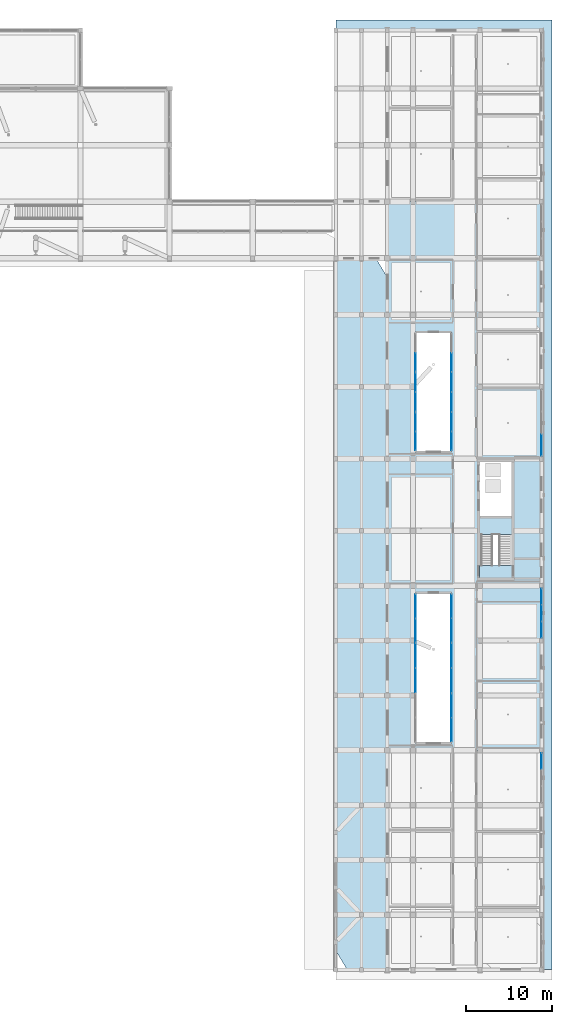
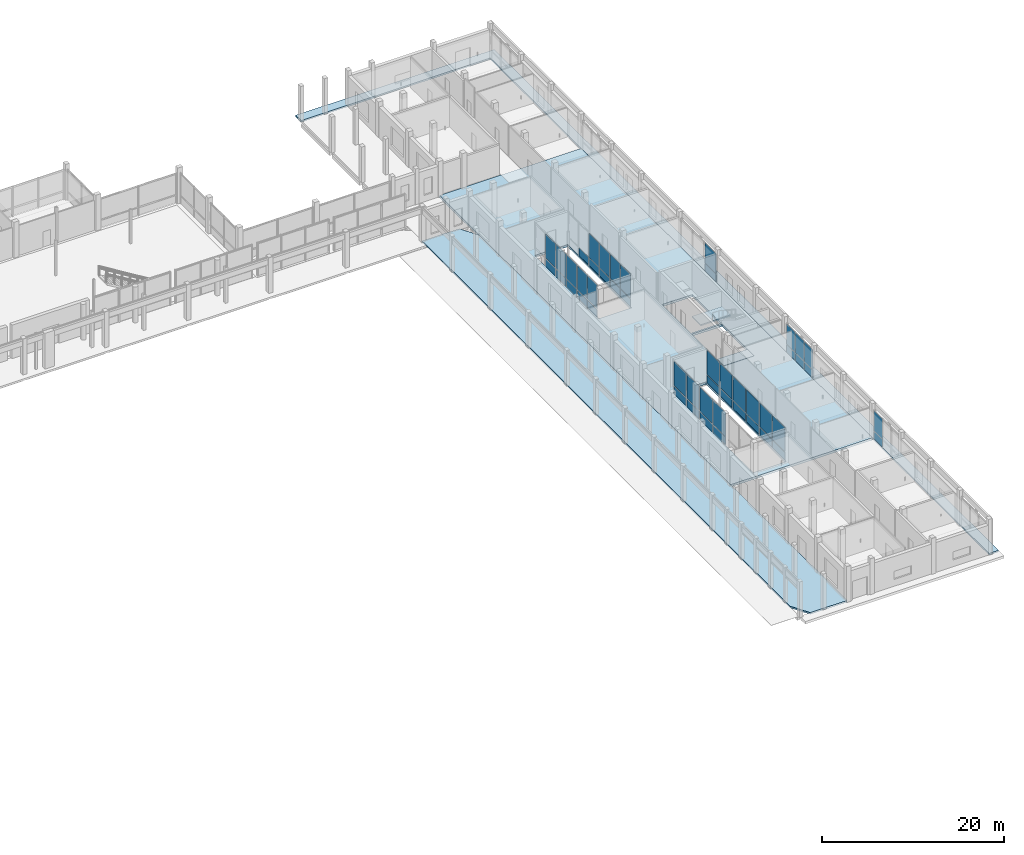
# One storey, part 44 of 88: 49 plates, 5 slabs, 15 elements without a shape of their own.
"""IFC4 building model written with IfcOpenShell, lengths in metres."""

from ifc_helpers import new_model, si_unit, derived_unit, direction, frame, origin, origin_2d, place, context, subcontext, project, spatial, polyline, rectangle, outline, extrude, material, layer, layer_set, type_object, element, aggregate, save


model = new_model("IFC4")

# Units and contexts
model_context = context("Model", 3, precision=1e-05, world=origin(), true_north=direction((0.0, 1.0)))
body_context = subcontext(model_context, "Body", "Model", "MODEL_VIEW")
ifc_project = project(units=[si_unit("LENGTHUNIT", "METRE"), si_unit("AREAUNIT", "SQUARE_METRE"), si_unit("VOLUMEUNIT", "CUBIC_METRE"), si_unit("PLANEANGLEUNIT", "RADIAN"), si_unit("MASSUNIT", "GRAM", prefix="KILO"), derived_unit("THERMALTRANSMITTANCEUNIT", [(si_unit("POWERUNIT", "WATT"), 1), (si_unit("LENGTHUNIT", "METRE"), -2), (si_unit("THERMODYNAMICTEMPERATUREUNIT", "KELVIN"), -1)])], contexts=[model_context])

# Site, building, storey
site_placement = place(None, origin())
site = spatial("IfcSite", under=ifc_project, at=site_placement, CompositionType="ELEMENT")
building_placement = place(site_placement, origin())
building = spatial("IfcBuilding", under=site, at=building_placement, Name="Braskholm Square Health Centre", CompositionType="ELEMENT")
storey_placement = place(building_placement, origin())
storey = spatial("IfcBuildingStorey", under=building, at=storey_placement, Name="L01", CompositionType="ELEMENT", Elevation=0.0)

# Slab
ifc_material_1 = material(Name="Precast concrete C40/50 architectural white", Category="concrete")
ifc_layer_1 = layer(ifc_material_1, 0.22509765625)
ifc_layer_set_1 = layer_set([ifc_layer_1], Name="Precast concrete C40/50 architectural white")
slab_type_1 = type_object("IfcSlabType", Name="ColonnadeWalkwaySlab225", PredefinedType="FLOOR", material=ifc_layer_set_1)
slab_1_placement = place(storey_placement, frame((0.0, 0.0, -0.22509765625)))
element("IfcSlab", 1, at=slab_1_placement, inside=storey, type_object=slab_type_1, Name="East square Mankato-Kasota limestone colonnade walkway", PredefinedType="FLOOR", context=body_context, shape_type="SweptSolid", body=[
    extrude(outline(polyline([(141.1201171875, 4.199951171875), (145.800048828125, 4.199951171875), (145.800048828125, 85.0), (144.47998046875, 87.199951171875), (139.800048828125, 87.199951171875), (139.800048828125, 6.39990234375), (141.1201171875, 4.199951171875)])), origin(), (0.0, 0.0, 1.0), 0.22509765625),
])

# Curtain wall, plate
ifc_material_2 = material(Name="Low-E triple insulating glass (VLT 0.64)", Category="glass")
curtain_wall_type_1 = type_object("IfcCurtainWallType", Name="UnitisedCurtainWall6200x4100", PredefinedType="NOTDEFINED", material=ifc_material_2)
curtain_wall_1_placement = place(storey_placement, origin())
curtain_wall_1 = element("IfcCurtainWall", 2, at=curtain_wall_1_placement, inside=storey, type_object=curtain_wall_type_1, Name="East Storefront unitised curtain wall CW-L01-0047", PredefinedType="NOTDEFINED")
ifc_material_3 = material(Name="Architectural bronze anodised aluminium", Category="aluminium")
plate_type_1 = type_object("IfcPlateType", Name="CurtainPanelSpandrel1850x1020", PredefinedType="CURTAIN_PANEL", material=ifc_material_3)
plate_1_placement = place(storey_placement, frame((163.800048828125, 28.5400390625, 0.050048828125), z_axis=(0.0, 0.0, 1.0), x_axis=(0.0, 1.0, 0.0)))
plate_1 = element("IfcPlate", 3, at=plate_1_placement, type_object=plate_type_1, Name="CW-L01-0047 spandrel panel 3", PredefinedType="CURTAIN_PANEL", context=body_context, shape_type="SweptSolid", body=[
    extrude(rectangle(XDim=1.823486328125, YDim=0.035888671875, at=origin_2d()), origin(), (0.0, 0.0, 1.0), 1.02001953125),
])

# Curtain wall, plates
curtain_wall_2_placement = place(storey_placement, origin())
curtain_wall_2 = element("IfcCurtainWall", 4, at=curtain_wall_2_placement, inside=storey, type_object=curtain_wall_type_1, Name="East Storefront unitised curtain wall CW-L01-0048", PredefinedType="NOTDEFINED")
plate_2_placement = place(storey_placement, frame((163.800048828125, 43.860107421875, 0.050048828125), z_axis=(0.0, 0.0, 1.0), x_axis=(0.0, 1.0, 0.0)))
plate_2 = element("IfcPlate", 5, at=plate_2_placement, type_object=plate_type_1, Name="CW-L01-0048 spandrel panel 1", PredefinedType="CURTAIN_PANEL", context=body_context, shape_type="SweptSolid", body=[
    extrude(rectangle(XDim=1.823486328125, YDim=0.035888671875, at=origin_2d()), origin(), (0.0, 0.0, 1.0), 1.02001953125),
])
plate_3_placement = place(storey_placement, frame((163.800048828125, 45.800048828125, 0.050048828125), z_axis=(0.0, 0.0, 1.0), x_axis=(0.0, 1.0, 0.0)))
plate_3 = element("IfcPlate", 6, at=plate_3_placement, type_object=plate_type_1, Name="CW-L01-0048 spandrel panel 2", PredefinedType="CURTAIN_PANEL", context=body_context, shape_type="SweptSolid", body=[
    extrude(rectangle(XDim=1.823486328125, YDim=0.035888671875, at=origin_2d()), origin(), (0.0, 0.0, 1.0), 1.02001953125),
])
plate_4_placement = place(storey_placement, frame((163.800048828125, 47.739990234375, 0.050048828125), z_axis=(0.0, 0.0, 1.0), x_axis=(0.0, 1.0, 0.0)))
plate_4 = element("IfcPlate", 7, at=plate_4_placement, type_object=plate_type_1, Name="CW-L01-0048 spandrel panel 3", PredefinedType="CURTAIN_PANEL", context=body_context, shape_type="SweptSolid", body=[
    extrude(rectangle(XDim=1.823486328125, YDim=0.035888671875, at=origin_2d()), origin(), (0.0, 0.0, 1.0), 1.02001953125),
])

curtain_wall_type_2 = type_object("IfcCurtainWallType", Name="UnitisedCurtainWall4800x4400", PredefinedType="NOTDEFINED", material=ifc_material_2)
curtain_wall_3_placement = place(storey_placement, origin())
curtain_wall_3 = element("IfcCurtainWall", 8, at=curtain_wall_3_placement, inside=storey, type_object=curtain_wall_type_2, Name="EC2 Court W unitised curtain wall CW-L01-0351", PredefinedType="NOTDEFINED")
plate_type_2 = type_object("IfcPlateType", Name="CurtainPanelSpandrel2150x1020", PredefinedType="CURTAIN_PANEL", material=ifc_material_3)
plate_5_placement = place(storey_placement, frame((149.10009765625, 65.884033203125, 0.050048828125), z_axis=(0.0, 0.0, 1.0), x_axis=(0.0, 1.0, 0.0)))
plate_5 = element("IfcPlate", 9, at=plate_5_placement, type_object=plate_type_2, Name="CW-L01-0351 spandrel panel 1", PredefinedType="CURTAIN_PANEL", context=body_context, shape_type="SweptSolid", body=[
    extrude(rectangle(XDim=2.125244140625, YDim=0.035888671875, at=origin_2d()), origin(), (0.0, 0.0, 1.0), 1.02001953125),
])
plate_6_placement = place(storey_placement, frame((149.10009765625, 68.117919921875, 0.050048828125), z_axis=(0.0, 0.0, 1.0), x_axis=(0.0, 1.0, 0.0)))
plate_6 = element("IfcPlate", 10, at=plate_6_placement, type_object=plate_type_2, Name="CW-L01-0351 spandrel panel 2", PredefinedType="CURTAIN_PANEL", context=body_context, shape_type="SweptSolid", body=[
    extrude(rectangle(XDim=2.125244140625, YDim=0.035888671875, at=origin_2d()), origin(), (0.0, 0.0, 1.0), 1.02001953125),
])

curtain_wall_4_placement = place(storey_placement, origin())
curtain_wall_4 = element("IfcCurtainWall", 11, at=curtain_wall_4_placement, inside=storey, type_object=curtain_wall_type_2, Name="EC2 Court E unitised curtain wall CW-L01-0352", PredefinedType="NOTDEFINED")
plate_7_placement = place(storey_placement, frame((153.300048828125, 68.117919921875, 0.050048828125), z_axis=(0.0, 0.0, 1.0), x_axis=(0.0, -1.0, 0.0)))
plate_7 = element("IfcPlate", 12, at=plate_7_placement, type_object=plate_type_2, Name="CW-L01-0352 spandrel panel 1", PredefinedType="CURTAIN_PANEL", context=body_context, shape_type="SweptSolid", body=[
    extrude(rectangle(XDim=2.125244140625, YDim=0.035888671875, at=origin_2d()), origin(), (0.0, 0.0, 1.0), 1.02001953125),
])
plate_8_placement = place(storey_placement, frame((153.300048828125, 65.884033203125, 0.050048828125), z_axis=(0.0, 0.0, 1.0), x_axis=(0.0, -1.0, 0.0)))
plate_8 = element("IfcPlate", 13, at=plate_8_placement, type_object=plate_type_2, Name="CW-L01-0352 spandrel panel 2", PredefinedType="CURTAIN_PANEL", context=body_context, shape_type="SweptSolid", body=[
    extrude(rectangle(XDim=2.125244140625, YDim=0.035888671875, at=origin_2d()), origin(), (0.0, 0.0, 1.0), 1.02001953125),
])

curtain_wall_5_placement = place(storey_placement, origin())
curtain_wall_5 = element("IfcCurtainWall", 14, at=curtain_wall_5_placement, inside=storey, type_object=curtain_wall_type_2, Name="EC2 Court W unitised curtain wall CW-L01-0353", PredefinedType="NOTDEFINED")
plate_9_placement = place(storey_placement, frame((149.10009765625, 70.449951171875, 0.050048828125), z_axis=(0.0, 0.0, 1.0), x_axis=(0.0, 1.0, 0.0)))
plate_9 = element("IfcPlate", 15, at=plate_9_placement, type_object=plate_type_2, Name="CW-L01-0353 spandrel panel 1", PredefinedType="CURTAIN_PANEL", context=body_context, shape_type="SweptSolid", body=[
    extrude(rectangle(XDim=2.188232421875, YDim=0.035888671875, at=origin_2d()), origin(), (0.0, 0.0, 1.0), 1.02001953125),
])
plate_10_placement = place(storey_placement, frame((149.10009765625, 72.75, 0.050048828125), z_axis=(0.0, 0.0, 1.0), x_axis=(0.0, 1.0, 0.0)))
plate_10 = element("IfcPlate", 16, at=plate_10_placement, type_object=plate_type_2, Name="CW-L01-0353 spandrel panel 2", PredefinedType="CURTAIN_PANEL", context=body_context, shape_type="SweptSolid", body=[
    extrude(rectangle(XDim=2.188232421875, YDim=0.035888671875, at=origin_2d()), origin(), (0.0, 0.0, 1.0), 1.02001953125),
])

curtain_wall_6_placement = place(storey_placement, origin())
curtain_wall_6 = element("IfcCurtainWall", 17, at=curtain_wall_6_placement, inside=storey, type_object=curtain_wall_type_2, Name="EC2 Court E unitised curtain wall CW-L01-0354", PredefinedType="NOTDEFINED")
plate_11_placement = place(storey_placement, frame((153.300048828125, 72.75, 0.050048828125), z_axis=(0.0, 0.0, 1.0), x_axis=(0.0, -1.0, 0.0)))
plate_11 = element("IfcPlate", 18, at=plate_11_placement, type_object=plate_type_2, Name="CW-L01-0354 spandrel panel 1", PredefinedType="CURTAIN_PANEL", context=body_context, shape_type="SweptSolid", body=[
    extrude(rectangle(XDim=2.188232421875, YDim=0.035888671875, at=origin_2d()), origin(), (0.0, 0.0, 1.0), 1.02001953125),
])
plate_12_placement = place(storey_placement, frame((153.300048828125, 70.449951171875, 0.050048828125), z_axis=(0.0, 0.0, 1.0), x_axis=(0.0, -1.0, 0.0)))
plate_12 = element("IfcPlate", 19, at=plate_12_placement, type_object=plate_type_2, Name="CW-L01-0354 spandrel panel 2", PredefinedType="CURTAIN_PANEL", context=body_context, shape_type="SweptSolid", body=[
    extrude(rectangle(XDim=2.188232421875, YDim=0.035888671875, at=origin_2d()), origin(), (0.0, 0.0, 1.0), 1.02001953125),
])

# Curtain wall, plate
curtain_wall_7_placement = place(storey_placement, origin())
curtain_wall_7 = element("IfcCurtainWall", 20, at=curtain_wall_7_placement, inside=storey, type_object=curtain_wall_type_2, Name="EC2 Court W unitised curtain wall CW-L01-0355", PredefinedType="NOTDEFINED")
plate_13_placement = place(storey_placement, frame((149.10009765625, 75.08203125, 0.050048828125), z_axis=(0.0, 0.0, 1.0), x_axis=(0.0, 1.0, 0.0)))
plate_13 = element("IfcPlate", 21, at=plate_13_placement, type_object=plate_type_2, Name="CW-L01-0355 spandrel panel 1", PredefinedType="CURTAIN_PANEL", context=body_context, shape_type="SweptSolid", body=[
    extrude(rectangle(XDim=2.125244140625, YDim=0.035888671875, at=origin_2d()), origin(), (0.0, 0.0, 1.0), 1.02001953125),
])

curtain_wall_8_placement = place(storey_placement, origin())
curtain_wall_8 = element("IfcCurtainWall", 22, at=curtain_wall_8_placement, inside=storey, type_object=curtain_wall_type_2, Name="EC2 Court E unitised curtain wall CW-L01-0356", PredefinedType="NOTDEFINED")
plate_14_placement = place(storey_placement, frame((153.300048828125, 75.08203125, 0.050048828125), z_axis=(0.0, 0.0, 1.0), x_axis=(0.0, -1.0, 0.0)))
plate_14 = element("IfcPlate", 23, at=plate_14_placement, type_object=plate_type_2, Name="CW-L01-0356 spandrel panel 2", PredefinedType="CURTAIN_PANEL", context=body_context, shape_type="SweptSolid", body=[
    extrude(rectangle(XDim=2.125244140625, YDim=0.035888671875, at=origin_2d()), origin(), (0.0, 0.0, 1.0), 1.02001953125),
])
aggregate(curtain_wall_8, [plate_14])

curtain_wall_9_placement = place(storey_placement, origin())
curtain_wall_9 = element("IfcCurtainWall", 24, at=curtain_wall_9_placement, inside=storey, type_object=curtain_wall_type_1, Name="East Storefront unitised curtain wall CW-L01-0049", PredefinedType="NOTDEFINED")
plate_type_3 = type_object("IfcPlateType", Name="CurtainPanelSpandrel2750x1020", PredefinedType="CURTAIN_PANEL", material=ifc_material_3)
plate_15_placement = place(storey_placement, frame((163.800048828125, 65.393310546875, 0.050048828125), z_axis=(0.0, 0.0, 1.0), x_axis=(0.0, 1.0, 0.0)))
plate_15 = element("IfcPlate", 25, at=plate_15_placement, type_object=plate_type_3, Name="CW-L01-0049 spandrel panel 1", PredefinedType="CURTAIN_PANEL", context=body_context, shape_type="SweptSolid", body=[
    extrude(rectangle(XDim=2.4501953125, YDim=0.035888671875, at=origin_2d()), origin(), (0.0, 0.0, 1.0), 1.02001953125),
])

# Curtain wall, plates
curtain_wall_type_3 = type_object("IfcCurtainWallType", Name="UnitisedCurtainWall5400x4400", PredefinedType="NOTDEFINED", material=ifc_material_2)
curtain_wall_10_placement = place(storey_placement, origin())
curtain_wall_10 = element("IfcCurtainWall", 26, at=curtain_wall_10_placement, inside=storey, type_object=curtain_wall_type_3, Name="EC1 Court E unitised curtain wall CW-L01-0322", PredefinedType="NOTDEFINED")
plate_16_placement = place(storey_placement, frame((153.300048828125, 35.014404296875, 0.050048828125), z_axis=(0.0, 0.0, 1.0), x_axis=(0.0, -1.0, 0.0)))
plate_16 = element("IfcPlate", 27, at=plate_16_placement, type_object=plate_type_3, Name="CW-L01-0322 spandrel panel 1", PredefinedType="CURTAIN_PANEL", context=body_context, shape_type="SweptSolid", body=[
    extrude(rectangle(XDim=2.689208984375, YDim=0.035888671875, at=origin_2d()), origin(), (0.0, 0.0, 1.0), 1.02001953125),
])
plate_17_placement = place(storey_placement, frame((153.300048828125, 32.187744140625, 0.050048828125), z_axis=(0.0, 0.0, 1.0), x_axis=(0.0, -1.0, 0.0)))
plate_17 = element("IfcPlate", 28, at=plate_17_placement, type_object=plate_type_3, Name="CW-L01-0322 spandrel panel 2", PredefinedType="CURTAIN_PANEL", context=body_context, shape_type="SweptSolid", body=[
    extrude(rectangle(XDim=2.689208984375, YDim=0.035888671875, at=origin_2d()), origin(), (0.0, 0.0, 1.0), 1.02001953125),
])

curtain_wall_type_4 = type_object("IfcCurtainWallType", Name="UnitisedCurtainWall6200x4400", PredefinedType="NOTDEFINED", material=ifc_material_2)
curtain_wall_11_placement = place(storey_placement, origin())
curtain_wall_11 = element("IfcCurtainWall", 29, at=curtain_wall_11_placement, inside=storey, type_object=curtain_wall_type_4, Name="EC1 Court W unitised curtain wall CW-L01-0323", PredefinedType="NOTDEFINED")
plate_18_placement = place(storey_placement, frame((149.10009765625, 37.95361328125, 0.050048828125), z_axis=(0.0, 0.0, 1.0), x_axis=(0.0, 1.0, 0.0)))
plate_18 = element("IfcPlate", 30, at=plate_18_placement, type_object=plate_type_3, Name="CW-L01-0323 spandrel panel 1", PredefinedType="CURTAIN_PANEL", context=body_context, shape_type="SweptSolid", body=[
    extrude(rectangle(XDim=2.752197265625, YDim=0.035888671875, at=origin_2d()), origin(), (0.0, 0.0, 1.0), 1.02001953125),
])
plate_19_placement = place(storey_placement, frame((149.10009765625, 40.846435546875, 0.050048828125), z_axis=(0.0, 0.0, 1.0), x_axis=(0.0, 1.0, 0.0)))
plate_19 = element("IfcPlate", 31, at=plate_19_placement, type_object=plate_type_3, Name="CW-L01-0323 spandrel panel 2", PredefinedType="CURTAIN_PANEL", context=body_context, shape_type="SweptSolid", body=[
    extrude(rectangle(XDim=2.752197265625, YDim=0.035888671875, at=origin_2d()), origin(), (0.0, 0.0, 1.0), 1.02001953125),
])

curtain_wall_12_placement = place(storey_placement, origin())
curtain_wall_12 = element("IfcCurtainWall", 32, at=curtain_wall_12_placement, inside=storey, type_object=curtain_wall_type_4, Name="EC1 Court E unitised curtain wall CW-L01-0324", PredefinedType="NOTDEFINED")
plate_20_placement = place(storey_placement, frame((153.300048828125, 40.846435546875, 0.050048828125), z_axis=(0.0, 0.0, 1.0), x_axis=(0.0, -1.0, 0.0)))
plate_20 = element("IfcPlate", 33, at=plate_20_placement, type_object=plate_type_3, Name="CW-L01-0324 spandrel panel 1", PredefinedType="CURTAIN_PANEL", context=body_context, shape_type="SweptSolid", body=[
    extrude(rectangle(XDim=2.752197265625, YDim=0.035888671875, at=origin_2d()), origin(), (0.0, 0.0, 1.0), 1.02001953125),
])
plate_21_placement = place(storey_placement, frame((153.300048828125, 37.95361328125, 0.050048828125), z_axis=(0.0, 0.0, 1.0), x_axis=(0.0, -1.0, 0.0)))
plate_21 = element("IfcPlate", 34, at=plate_21_placement, type_object=plate_type_3, Name="CW-L01-0324 spandrel panel 2", PredefinedType="CURTAIN_PANEL", context=body_context, shape_type="SweptSolid", body=[
    extrude(rectangle(XDim=2.752197265625, YDim=0.035888671875, at=origin_2d()), origin(), (0.0, 0.0, 1.0), 1.02001953125),
])

curtain_wall_13_placement = place(storey_placement, origin())
curtain_wall_13 = element("IfcCurtainWall", 35, at=curtain_wall_13_placement, inside=storey, type_object=curtain_wall_type_3, Name="EC1 Court W unitised curtain wall CW-L01-0325", PredefinedType="NOTDEFINED")
plate_22_placement = place(storey_placement, frame((149.10009765625, 43.78564453125, 0.050048828125), z_axis=(0.0, 0.0, 1.0), x_axis=(0.0, 1.0, 0.0)))
plate_22 = element("IfcPlate", 36, at=plate_22_placement, type_object=plate_type_3, Name="CW-L01-0325 spandrel panel 1", PredefinedType="CURTAIN_PANEL", context=body_context, shape_type="SweptSolid", body=[
    extrude(rectangle(XDim=2.689208984375, YDim=0.035888671875, at=origin_2d()), origin(), (0.0, 0.0, 1.0), 1.02001953125),
])
plate_23_placement = place(storey_placement, frame((149.10009765625, 46.6123046875, 0.050048828125), z_axis=(0.0, 0.0, 1.0), x_axis=(0.0, 1.0, 0.0)))
plate_23 = element("IfcPlate", 37, at=plate_23_placement, type_object=plate_type_3, Name="CW-L01-0325 spandrel panel 2", PredefinedType="CURTAIN_PANEL", context=body_context, shape_type="SweptSolid", body=[
    extrude(rectangle(XDim=2.689208984375, YDim=0.035888671875, at=origin_2d()), origin(), (0.0, 0.0, 1.0), 1.02001953125),
])

curtain_wall_14_placement = place(storey_placement, origin())
curtain_wall_14 = element("IfcCurtainWall", 38, at=curtain_wall_14_placement, inside=storey, type_object=curtain_wall_type_3, Name="EC1 Court E unitised curtain wall CW-L01-0326", PredefinedType="NOTDEFINED")
plate_24_placement = place(storey_placement, frame((153.300048828125, 46.6123046875, 0.050048828125), z_axis=(0.0, 0.0, 1.0), x_axis=(0.0, -1.0, 0.0)))
plate_24 = element("IfcPlate", 39, at=plate_24_placement, type_object=plate_type_3, Name="CW-L01-0326 spandrel panel 1", PredefinedType="CURTAIN_PANEL", context=body_context, shape_type="SweptSolid", body=[
    extrude(rectangle(XDim=2.689208984375, YDim=0.035888671875, at=origin_2d()), origin(), (0.0, 0.0, 1.0), 1.02001953125),
])
plate_25_placement = place(storey_placement, frame((153.300048828125, 43.78564453125, 0.050048828125), z_axis=(0.0, 0.0, 1.0), x_axis=(0.0, -1.0, 0.0)))
plate_25 = element("IfcPlate", 40, at=plate_25_placement, type_object=plate_type_3, Name="CW-L01-0326 spandrel panel 2", PredefinedType="CURTAIN_PANEL", context=body_context, shape_type="SweptSolid", body=[
    extrude(rectangle(XDim=2.689208984375, YDim=0.035888671875, at=origin_2d()), origin(), (0.0, 0.0, 1.0), 1.02001953125),
])

# Plate
plate_type_4 = type_object("IfcPlateType", Name="CurtainPanelVision1850x2520", PredefinedType="CURTAIN_PANEL", material=ifc_material_2)
plate_26_placement = place(storey_placement, frame((163.800048828125, 28.5400390625, 1.169921875), z_axis=(0.0, 0.0, 1.0), x_axis=(0.0, 1.0, 0.0)))
plate_26 = element("IfcPlate", 41, at=plate_26_placement, type_object=plate_type_4, Name="CW-L01-0047 vision glass panel 3", PredefinedType="CURTAIN_PANEL", context=body_context, shape_type="SweptSolid", body=[
    extrude(rectangle(XDim=1.823486328125, YDim=0.035888671875, at=origin_2d()), origin(), (0.0, 0.0, 1.0), 2.669921875),
])

aggregate(curtain_wall_1, [plate_1, plate_26])

plate_27_placement = place(storey_placement, frame((163.800048828125, 43.860107421875, 1.169921875), z_axis=(0.0, 0.0, 1.0), x_axis=(0.0, 1.0, 0.0)))
plate_27 = element("IfcPlate", 42, at=plate_27_placement, type_object=plate_type_4, Name="CW-L01-0048 vision glass panel 1", PredefinedType="CURTAIN_PANEL", context=body_context, shape_type="SweptSolid", body=[
    extrude(rectangle(XDim=1.823486328125, YDim=0.035888671875, at=origin_2d()), origin(), (0.0, 0.0, 1.0), 2.669921875),
])

plate_28_placement = place(storey_placement, frame((163.800048828125, 45.800048828125, 1.169921875), z_axis=(0.0, 0.0, 1.0), x_axis=(0.0, 1.0, 0.0)))
plate_28 = element("IfcPlate", 43, at=plate_28_placement, type_object=plate_type_4, Name="CW-L01-0048 vision glass panel 2", PredefinedType="CURTAIN_PANEL", context=body_context, shape_type="SweptSolid", body=[
    extrude(rectangle(XDim=1.823486328125, YDim=0.035888671875, at=origin_2d()), origin(), (0.0, 0.0, 1.0), 2.669921875),
])

plate_29_placement = place(storey_placement, frame((163.800048828125, 47.739990234375, 1.169921875), z_axis=(0.0, 0.0, 1.0), x_axis=(0.0, 1.0, 0.0)))
plate_29 = element("IfcPlate", 44, at=plate_29_placement, type_object=plate_type_4, Name="CW-L01-0048 vision glass panel 3", PredefinedType="CURTAIN_PANEL", context=body_context, shape_type="SweptSolid", body=[
    extrude(rectangle(XDim=1.823486328125, YDim=0.035888671875, at=origin_2d()), origin(), (0.0, 0.0, 1.0), 2.669921875),
])

aggregate(curtain_wall_2, [plate_2, plate_27, plate_3, plate_28, plate_4, plate_29])

plate_type_5 = type_object("IfcPlateType", Name="CurtainPanelVision2150x2950", PredefinedType="CURTAIN_PANEL", material=ifc_material_2)
plate_30_placement = place(storey_placement, frame((149.10009765625, 65.884033203125, 1.169921875), z_axis=(0.0, 0.0, 1.0), x_axis=(0.0, 1.0, 0.0)))
plate_30 = element("IfcPlate", 45, at=plate_30_placement, type_object=plate_type_5, Name="CW-L01-0351 vision glass panel 1", PredefinedType="CURTAIN_PANEL", context=body_context, shape_type="SweptSolid", body=[
    extrude(rectangle(XDim=2.125244140625, YDim=0.035888671875, at=origin_2d()), origin(), (0.0, 0.0, 1.0), 3.219970703125),
])

plate_31_placement = place(storey_placement, frame((149.10009765625, 68.117919921875, 1.169921875), z_axis=(0.0, 0.0, 1.0), x_axis=(0.0, 1.0, 0.0)))
plate_31 = element("IfcPlate", 46, at=plate_31_placement, type_object=plate_type_5, Name="CW-L01-0351 vision glass panel 2", PredefinedType="CURTAIN_PANEL", context=body_context, shape_type="SweptSolid", body=[
    extrude(rectangle(XDim=2.125244140625, YDim=0.035888671875, at=origin_2d()), origin(), (0.0, 0.0, 1.0), 3.219970703125),
])

aggregate(curtain_wall_3, [plate_5, plate_30, plate_6, plate_31])

plate_32_placement = place(storey_placement, frame((153.300048828125, 68.117919921875, 1.169921875), z_axis=(0.0, 0.0, 1.0), x_axis=(0.0, -1.0, 0.0)))
plate_32 = element("IfcPlate", 47, at=plate_32_placement, type_object=plate_type_5, Name="CW-L01-0352 vision glass panel 1", PredefinedType="CURTAIN_PANEL", context=body_context, shape_type="SweptSolid", body=[
    extrude(rectangle(XDim=2.125244140625, YDim=0.035888671875, at=origin_2d()), origin(), (0.0, 0.0, 1.0), 3.219970703125),
])

plate_33_placement = place(storey_placement, frame((153.300048828125, 65.884033203125, 1.169921875), z_axis=(0.0, 0.0, 1.0), x_axis=(0.0, -1.0, 0.0)))
plate_33 = element("IfcPlate", 48, at=plate_33_placement, type_object=plate_type_5, Name="CW-L01-0352 vision glass panel 2", PredefinedType="CURTAIN_PANEL", context=body_context, shape_type="SweptSolid", body=[
    extrude(rectangle(XDim=2.125244140625, YDim=0.035888671875, at=origin_2d()), origin(), (0.0, 0.0, 1.0), 3.219970703125),
])

aggregate(curtain_wall_4, [plate_7, plate_32, plate_8, plate_33])

plate_34_placement = place(storey_placement, frame((149.10009765625, 70.449951171875, 1.169921875), z_axis=(0.0, 0.0, 1.0), x_axis=(0.0, 1.0, 0.0)))
plate_34 = element("IfcPlate", 49, at=plate_34_placement, type_object=plate_type_5, Name="CW-L01-0353 vision glass panel 1", PredefinedType="CURTAIN_PANEL", context=body_context, shape_type="SweptSolid", body=[
    extrude(rectangle(XDim=2.188232421875, YDim=0.035888671875, at=origin_2d()), origin(), (0.0, 0.0, 1.0), 3.219970703125),
])

plate_35_placement = place(storey_placement, frame((149.10009765625, 72.75, 1.169921875), z_axis=(0.0, 0.0, 1.0), x_axis=(0.0, 1.0, 0.0)))
plate_35 = element("IfcPlate", 50, at=plate_35_placement, type_object=plate_type_5, Name="CW-L01-0353 vision glass panel 2", PredefinedType="CURTAIN_PANEL", context=body_context, shape_type="SweptSolid", body=[
    extrude(rectangle(XDim=2.188232421875, YDim=0.035888671875, at=origin_2d()), origin(), (0.0, 0.0, 1.0), 3.219970703125),
])

aggregate(curtain_wall_5, [plate_9, plate_34, plate_10, plate_35])

plate_36_placement = place(storey_placement, frame((153.300048828125, 72.75, 1.169921875), z_axis=(0.0, 0.0, 1.0), x_axis=(0.0, -1.0, 0.0)))
plate_36 = element("IfcPlate", 51, at=plate_36_placement, type_object=plate_type_5, Name="CW-L01-0354 vision glass panel 1", PredefinedType="CURTAIN_PANEL", context=body_context, shape_type="SweptSolid", body=[
    extrude(rectangle(XDim=2.188232421875, YDim=0.035888671875, at=origin_2d()), origin(), (0.0, 0.0, 1.0), 3.219970703125),
])

plate_37_placement = place(storey_placement, frame((153.300048828125, 70.449951171875, 1.169921875), z_axis=(0.0, 0.0, 1.0), x_axis=(0.0, -1.0, 0.0)))
plate_37 = element("IfcPlate", 52, at=plate_37_placement, type_object=plate_type_5, Name="CW-L01-0354 vision glass panel 2", PredefinedType="CURTAIN_PANEL", context=body_context, shape_type="SweptSolid", body=[
    extrude(rectangle(XDim=2.188232421875, YDim=0.035888671875, at=origin_2d()), origin(), (0.0, 0.0, 1.0), 3.219970703125),
])

aggregate(curtain_wall_6, [plate_11, plate_36, plate_12, plate_37])

plate_38_placement = place(storey_placement, frame((149.10009765625, 75.08203125, 1.169921875), z_axis=(0.0, 0.0, 1.0), x_axis=(0.0, 1.0, 0.0)))
plate_38 = element("IfcPlate", 53, at=plate_38_placement, type_object=plate_type_5, Name="CW-L01-0355 vision glass panel 1", PredefinedType="CURTAIN_PANEL", context=body_context, shape_type="SweptSolid", body=[
    extrude(rectangle(XDim=2.125244140625, YDim=0.035888671875, at=origin_2d()), origin(), (0.0, 0.0, 1.0), 3.219970703125),
])

aggregate(curtain_wall_7, [plate_13, plate_38])

plate_type_6 = type_object("IfcPlateType", Name="CurtainPanelVision2750x2520", PredefinedType="CURTAIN_PANEL", material=ifc_material_2)
plate_39_placement = place(storey_placement, frame((163.800048828125, 65.393310546875, 1.169921875), z_axis=(0.0, 0.0, 1.0), x_axis=(0.0, 1.0, 0.0)))
plate_39 = element("IfcPlate", 54, at=plate_39_placement, type_object=plate_type_6, Name="CW-L01-0049 vision glass panel 1", PredefinedType="CURTAIN_PANEL", context=body_context, shape_type="SweptSolid", body=[
    extrude(rectangle(XDim=2.4501953125, YDim=0.035888671875, at=origin_2d()), origin(), (0.0, 0.0, 1.0), 2.669921875),
])

aggregate(curtain_wall_9, [plate_15, plate_39])

plate_type_7 = type_object("IfcPlateType", Name="CurtainPanelVision2750x2950", PredefinedType="CURTAIN_PANEL", material=ifc_material_2)
plate_40_placement = place(storey_placement, frame((153.300048828125, 35.014404296875, 1.169921875), z_axis=(0.0, 0.0, 1.0), x_axis=(0.0, -1.0, 0.0)))
plate_40 = element("IfcPlate", 55, at=plate_40_placement, type_object=plate_type_7, Name="CW-L01-0322 vision glass panel 1", PredefinedType="CURTAIN_PANEL", context=body_context, shape_type="SweptSolid", body=[
    extrude(rectangle(XDim=2.689208984375, YDim=0.035888671875, at=origin_2d()), origin(), (0.0, 0.0, 1.0), 3.219970703125),
])

plate_41_placement = place(storey_placement, frame((153.300048828125, 32.187744140625, 1.169921875), z_axis=(0.0, 0.0, 1.0), x_axis=(0.0, -1.0, 0.0)))
plate_41 = element("IfcPlate", 56, at=plate_41_placement, type_object=plate_type_7, Name="CW-L01-0322 vision glass panel 2", PredefinedType="CURTAIN_PANEL", context=body_context, shape_type="SweptSolid", body=[
    extrude(rectangle(XDim=2.689208984375, YDim=0.035888671875, at=origin_2d()), origin(), (0.0, 0.0, 1.0), 3.219970703125),
])

aggregate(curtain_wall_10, [plate_16, plate_40, plate_17, plate_41])

plate_42_placement = place(storey_placement, frame((149.10009765625, 37.95361328125, 1.169921875), z_axis=(0.0, 0.0, 1.0), x_axis=(0.0, 1.0, 0.0)))
plate_42 = element("IfcPlate", 57, at=plate_42_placement, type_object=plate_type_7, Name="CW-L01-0323 vision glass panel 1", PredefinedType="CURTAIN_PANEL", context=body_context, shape_type="SweptSolid", body=[
    extrude(rectangle(XDim=2.752197265625, YDim=0.035888671875, at=origin_2d()), origin(), (0.0, 0.0, 1.0), 3.219970703125),
])

plate_43_placement = place(storey_placement, frame((149.10009765625, 40.846435546875, 1.169921875), z_axis=(0.0, 0.0, 1.0), x_axis=(0.0, 1.0, 0.0)))
plate_43 = element("IfcPlate", 58, at=plate_43_placement, type_object=plate_type_7, Name="CW-L01-0323 vision glass panel 2", PredefinedType="CURTAIN_PANEL", context=body_context, shape_type="SweptSolid", body=[
    extrude(rectangle(XDim=2.752197265625, YDim=0.035888671875, at=origin_2d()), origin(), (0.0, 0.0, 1.0), 3.219970703125),
])

aggregate(curtain_wall_11, [plate_18, plate_42, plate_19, plate_43])

plate_44_placement = place(storey_placement, frame((153.300048828125, 40.846435546875, 1.169921875), z_axis=(0.0, 0.0, 1.0), x_axis=(0.0, -1.0, 0.0)))
plate_44 = element("IfcPlate", 59, at=plate_44_placement, type_object=plate_type_7, Name="CW-L01-0324 vision glass panel 1", PredefinedType="CURTAIN_PANEL", context=body_context, shape_type="SweptSolid", body=[
    extrude(rectangle(XDim=2.752197265625, YDim=0.035888671875, at=origin_2d()), origin(), (0.0, 0.0, 1.0), 3.219970703125),
])

plate_45_placement = place(storey_placement, frame((153.300048828125, 37.95361328125, 1.169921875), z_axis=(0.0, 0.0, 1.0), x_axis=(0.0, -1.0, 0.0)))
plate_45 = element("IfcPlate", 60, at=plate_45_placement, type_object=plate_type_7, Name="CW-L01-0324 vision glass panel 2", PredefinedType="CURTAIN_PANEL", context=body_context, shape_type="SweptSolid", body=[
    extrude(rectangle(XDim=2.752197265625, YDim=0.035888671875, at=origin_2d()), origin(), (0.0, 0.0, 1.0), 3.219970703125),
])

aggregate(curtain_wall_12, [plate_20, plate_44, plate_21, plate_45])

plate_46_placement = place(storey_placement, frame((149.10009765625, 43.78564453125, 1.169921875), z_axis=(0.0, 0.0, 1.0), x_axis=(0.0, 1.0, 0.0)))
plate_46 = element("IfcPlate", 61, at=plate_46_placement, type_object=plate_type_7, Name="CW-L01-0325 vision glass panel 1", PredefinedType="CURTAIN_PANEL", context=body_context, shape_type="SweptSolid", body=[
    extrude(rectangle(XDim=2.689208984375, YDim=0.035888671875, at=origin_2d()), origin(), (0.0, 0.0, 1.0), 3.219970703125),
])

plate_47_placement = place(storey_placement, frame((149.10009765625, 46.6123046875, 1.169921875), z_axis=(0.0, 0.0, 1.0), x_axis=(0.0, 1.0, 0.0)))
plate_47 = element("IfcPlate", 62, at=plate_47_placement, type_object=plate_type_7, Name="CW-L01-0325 vision glass panel 2", PredefinedType="CURTAIN_PANEL", context=body_context, shape_type="SweptSolid", body=[
    extrude(rectangle(XDim=2.689208984375, YDim=0.035888671875, at=origin_2d()), origin(), (0.0, 0.0, 1.0), 3.219970703125),
])

aggregate(curtain_wall_13, [plate_22, plate_46, plate_23, plate_47])

plate_48_placement = place(storey_placement, frame((153.300048828125, 46.6123046875, 1.169921875), z_axis=(0.0, 0.0, 1.0), x_axis=(0.0, -1.0, 0.0)))
plate_48 = element("IfcPlate", 63, at=plate_48_placement, type_object=plate_type_7, Name="CW-L01-0326 vision glass panel 1", PredefinedType="CURTAIN_PANEL", context=body_context, shape_type="SweptSolid", body=[
    extrude(rectangle(XDim=2.689208984375, YDim=0.035888671875, at=origin_2d()), origin(), (0.0, 0.0, 1.0), 3.219970703125),
])

plate_49_placement = place(storey_placement, frame((153.300048828125, 43.78564453125, 1.169921875), z_axis=(0.0, 0.0, 1.0), x_axis=(0.0, -1.0, 0.0)))
plate_49 = element("IfcPlate", 64, at=plate_49_placement, type_object=plate_type_7, Name="CW-L01-0326 vision glass panel 2", PredefinedType="CURTAIN_PANEL", context=body_context, shape_type="SweptSolid", body=[
    extrude(rectangle(XDim=2.689208984375, YDim=0.035888671875, at=origin_2d()), origin(), (0.0, 0.0, 1.0), 3.219970703125),
])

aggregate(curtain_wall_14, [plate_24, plate_48, plate_25, plate_49])

# Slab
ifc_layer_2 = layer(ifc_material_1, 0.2099609375)
ifc_layer_set_2 = layer_set([ifc_layer_2], Name="Precast concrete C40/50 architectural white")
slab_type_2 = type_object("IfcSlabType", Name="PitchedAndCrownRoofSlab150", PredefinedType="ROOF", material=ifc_layer_set_2)
slab_2_placement = place(storey_placement, frame((0.0, 0.0, -0.2099609375)))
element("IfcSlab", 65, at=slab_2_placement, inside=storey, type_object=slab_type_2, Name="East outer giant-order frame granite plinth", PredefinedType="ROOF", context=body_context, shape_type="SweptSolid", body=[
    extrude(outline(polyline([(163.800048828125, 4.199951171875), (165.0, 4.199951171875), (165.0, 115.0), (139.800048828125, 115.0), (139.800048828125, 113.800048828125), (163.800048828125, 113.800048828125), (163.800048828125, 4.199951171875)])), origin(), (0.0, 0.0, 1.0), 0.2099609375),
])

# Stair, slabs
ifc_material_4 = material(Name="Concrete C35/45 (f'c = 35 MPa)", Category="concrete")
stair_type = type_object("IfcStairType", Name="ExitReturnStairL01", PredefinedType="HALF_TURN_STAIR", material=ifc_material_4)
stair_placement = place(storey_placement, origin())
stair = element("IfcStair", 66, at=stair_placement, inside=storey, type_object=stair_type, Name="Enclosed exit stair ST-04 L01 to L02", PredefinedType="HALF_TURN_STAIR")
ifc_layer_3 = layer(ifc_material_4, 0.179931640625)
ifc_layer_set_3 = layer_set([ifc_layer_3], Name="Concrete C35/45 (f'c = 35 MPa)")
slab_type_3 = type_object("IfcSlabType", Name="StairLandingSlab180", PredefinedType="LANDING", material=ifc_layer_set_3)
slab_3_placement = place(storey_placement, frame((0.0, 0.0, 2.219970703125)))
slab_3 = element("IfcSlab", 67, at=slab_3_placement, type_object=slab_type_3, Name="Stair ST-04 half-landing L01", PredefinedType="LANDING", context=body_context, shape_type="SweptSolid", body=[
    extrude(outline(polyline([(156.550048828125, 55.0), (160.35009765625, 55.0), (160.35009765625, 56.89990234375), (156.550048828125, 56.89990234375), (156.550048828125, 55.0)])), origin(), (0.0, 0.0, 1.0), 0.179931640625),
])
slab_4_placement = place(storey_placement, frame((0.0, 0.0, -0.179931640625)))
slab_4 = element("IfcSlab", 68, at=slab_4_placement, type_object=slab_type_3, Name="Stair ST-04 floor landing L01", PredefinedType="LANDING", context=body_context, shape_type="SweptSolid", body=[
    extrude(outline(polyline([(156.550048828125, 49.89990234375), (160.35009765625, 49.89990234375), (160.35009765625, 51.360107421875), (156.550048828125, 51.360107421875), (156.550048828125, 49.89990234375)])), origin(), (0.0, 0.0, 1.0), 0.179931640625),
])
aggregate(stair, [slab_3, slab_4])

# Slab
ifc_layer_4 = layer(ifc_material_4, 0.300048828125)
ifc_layer_set_4 = layer_set([ifc_layer_4], Name="Concrete C35/45 (f'c = 35 MPa)")
slab_type_4 = type_object("IfcSlabType", Name="TwoWayClinicalFlatSlab300", PredefinedType="FLOOR", material=ifc_layer_set_4)
slab_5_placement = place(storey_placement, frame((0.0, 0.0, -0.300048828125)))
element("IfcSlab", 69, at=slab_5_placement, inside=storey, type_object=slab_type_4, Name="Level L01 V4E East consulting wing slab", PredefinedType="FLOOR", context=body_context, shape_type="SweptSolid", body=[
    extrude(outline(polyline([(145.800048828125, 29.800048828125), (163.800048828125, 29.800048828125), (163.800048828125, 93.800048828125), (145.800048828125, 93.800048828125), (145.800048828125, 29.800048828125)]), holes=[polyline([(156.530029296875, 49.8798828125), (160.3701171875, 49.8798828125), (160.3701171875, 56.919921875), (156.530029296875, 56.919921875), (156.530029296875, 49.8798828125)]), polyline([(156.530029296875, 57.14990234375), (160.3701171875, 57.14990234375), (160.3701171875, 63.449951171875), (156.530029296875, 63.449951171875), (156.530029296875, 57.14990234375)]), polyline([(149.10009765625, 30.60009765625), (153.300048828125, 30.60009765625), (153.300048828125, 48.199951171875), (149.10009765625, 48.199951171875), (149.10009765625, 30.60009765625)]), polyline([(149.10009765625, 64.60009765625), (153.300048828125, 64.60009765625), (153.300048828125, 78.60009765625), (149.10009765625, 78.60009765625), (149.10009765625, 64.60009765625)])]), origin(), (0.0, 0.0, 1.0), 0.300048828125),
])

save(model, "model.ifc")
